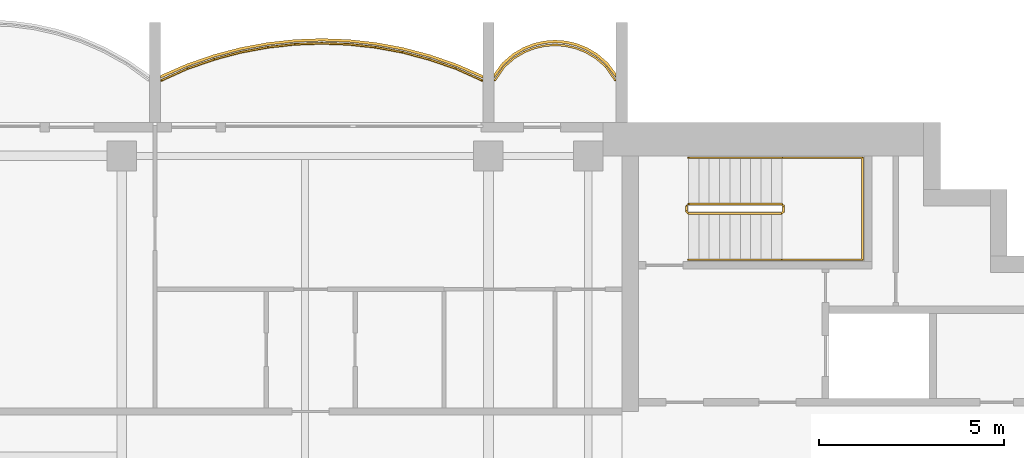
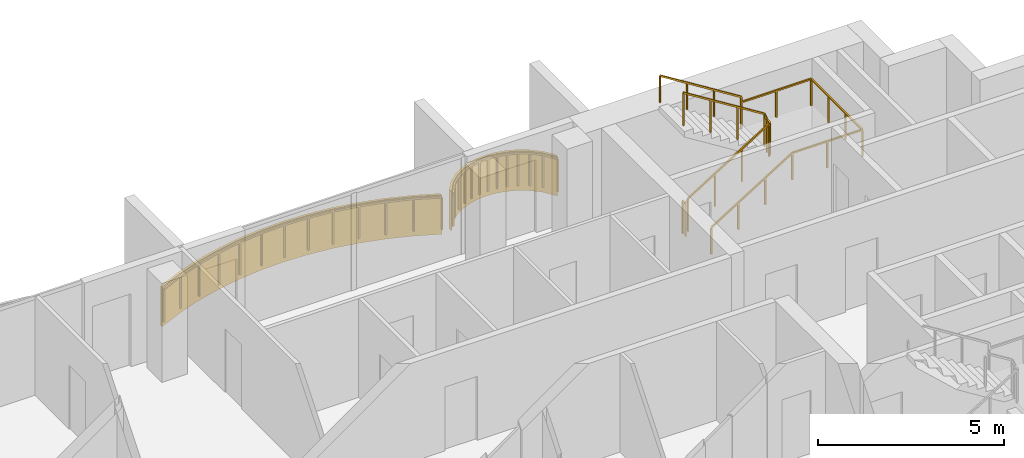
# One storey, part 16 of 16: 4 railings, 2 coverings.
"""IFC4 building model written with IfcOpenShell, lengths in metres."""

from ifc_helpers import new_model, si_unit, direction, frame, origin, origin_2d, place, context, subcontext, project, spatial, polyline, rectangle, outline, extrude, material, layer, layer_set, type_object, element, save


model = new_model("IFC4")

# Units and contexts
model_context = context("Model", 3, precision=1e-05, world=origin(), true_north=direction((0.0, 1.0)))
body_context = subcontext(model_context, "Body", "Model", "MODEL_VIEW")
ifc_project = project(units=[si_unit("LENGTHUNIT", "METRE"), si_unit("AREAUNIT", "SQUARE_METRE"), si_unit("VOLUMEUNIT", "CUBIC_METRE"), si_unit("PLANEANGLEUNIT", "RADIAN"), si_unit("MASSUNIT", "GRAM", prefix="KILO")], contexts=[model_context])

# Site, building, storey
site_placement = place(None, origin())
site = spatial("IfcSite", under=ifc_project, at=site_placement, CompositionType="ELEMENT")
building_placement = place(site_placement, origin())
building = spatial("IfcBuilding", under=site, at=building_placement, Name="Perihelion Cross Residences", CompositionType="ELEMENT")
storey_placement = place(building_placement, frame((0.0, 0.0, 243.0)))
storey = spatial("IfcBuildingStorey", under=building, at=storey_placement, Name="L61", CompositionType="ELEMENT", Elevation=243.0)

# Coverings
ifc_material_1 = material(Name="Bronze anodised aluminium", Category="aluminium")
ifc_layer = layer(ifc_material_1, 0.070068359375)
ifc_layer_set = layer_set([ifc_layer], Name="Balcony fascia 1300")
covering_type = type_object("IfcCoveringType", Name="Balcony fascia 1300", PredefinedType="CLADDING", material=ifc_layer_set)
covering_1_placement = place(storey_placement, frame((0.0, 0.0, -0.199951171875)))
element("IfcCovering", 1, at=covering_1_placement, inside=storey, type_object=covering_type, Name="Fascia BF1 L61 east side north bay 1", PredefinedType="CLADDING", context=body_context, shape_type="SweptSolid", body=[
    extrude(outline(polyline([(21.226318359375, 10.616455078125), (20.94091796875, 10.86328125), (20.655517578125, 11.031494140625), (20.370361328125, 11.142578125), (20.085205078125, 11.206298828125), (19.800048828125, 11.22705078125), (19.514892578125, 11.206298828125), (19.229736328125, 11.142578125), (18.9443359375, 11.031494140625), (18.6591796875, 10.86328125), (18.373779296875, 10.616455078125), (18.14990234375, 10.31689453125), (18.14990234375, 10.199951171875), (18.425048828125, 10.568603515625), (18.699951171875, 10.806396484375), (18.97509765625, 10.96875), (19.25, 11.07568359375), (19.52490234375, 11.136962890625), (19.800048828125, 11.156982421875), (20.074951171875, 11.136962890625), (20.35009765625, 11.07568359375), (20.625, 10.96875), (20.89990234375, 10.806396484375), (21.175048828125, 10.568603515625), (21.449951171875, 10.199951171875), (21.449951171875, 10.31689453125), (21.226318359375, 10.616455078125)])), origin(), (0.0, 0.0, 1.0), 1.300048828125),
])
covering_2_placement = place(storey_placement, frame((0.0, 0.0, -0.199951171875)))
element("IfcCovering", 2, at=covering_2_placement, inside=storey, type_object=covering_type, Name="Fascia BF1 L61 east side north bay 2", PredefinedType="CLADDING", context=body_context, shape_type="SweptSolid", body=[
    extrude(outline(polyline([(17.150634765625, 10.582275390625), (16.42041015625, 10.83544921875), (15.690185546875, 11.028076171875), (14.960205078125, 11.1630859375), (14.22998046875, 11.243408203125), (13.5, 11.27001953125), (12.77001953125, 11.243408203125), (12.039794921875, 11.1630859375), (11.309814453125, 11.028076171875), (10.57958984375, 10.83544921875), (9.849365234375, 10.582275390625), (9.14990234375, 10.2763671875), (9.14990234375, 10.199951171875), (9.875, 10.51708984375), (10.60009765625, 10.7685546875), (11.324951171875, 10.959716796875), (12.050048828125, 11.093994140625), (12.77490234375, 11.173583984375), (13.5, 11.199951171875), (14.22509765625, 11.173583984375), (14.949951171875, 11.093994140625), (15.675048828125, 10.959716796875), (16.39990234375, 10.7685546875), (17.125, 10.51708984375), (17.85009765625, 10.199951171875), (17.85009765625, 10.2763671875), (17.150634765625, 10.582275390625)])), origin(), (0.0, 0.0, 1.0), 1.300048828125),
])

# Railings
ifc_material_2 = material(Name="Bronze anodised aluminium", Category="aluminium")
railing_type_1 = type_object("IfcRailingType", Name="Balcony guard 1100", PredefinedType="GUARDRAIL", material=ifc_material_2)
railing_1_placement = place(storey_placement, frame((21.425048828125, 10.139892578125, 0.0)))
element("IfcRailing", 3, at=railing_1_placement, inside=storey, type_object=railing_type_1, Name="Guard GU1 L61 east side north bay 1 balcony", PredefinedType="GUARDRAIL", context=body_context, shape_type="SweptSolid", body=[
    extrude(rectangle(XDim=0.048095703125, YDim=0.048095703125, at=origin_2d()), frame((0.0, 0.0, 1.076171875), z_axis=(-0.561260132269, 0.827639452857, 0.0), x_axis=(-0.827639452857, -0.561260132269, 0.0)), (0.0, 0.0, 1.0), 0.4453125),
    extrude(rectangle(XDim=0.048095703125, YDim=0.048095703125, at=origin_2d()), frame((-0.25, 0.36865234375, 1.076171875), z_axis=(-0.756596535164, 0.653882009982, 0.0), x_axis=(-0.653882009982, -0.756596535164, 0.0)), (0.0, 0.0, 1.0), 0.36376953125),
    extrude(rectangle(XDim=0.048095703125, YDim=0.048095703125, at=origin_2d()), frame((-0.525146484375, 0.6064453125, 1.076171875), z_axis=(-0.861048292884, 0.508523192511, 0.0), x_axis=(-0.508523192511, -0.861048292884, 0.0)), (0.0, 0.0, 1.0), 0.3193359375),
    extrude(rectangle(XDim=0.048095703125, YDim=0.048095703125, at=origin_2d()), frame((-0.800048828125, 0.768798828125, 1.076171875), z_axis=(-0.931973602183, 0.362526143656, 0.0), x_axis=(-0.362526143656, -0.931973602183, 0.0)), (0.0, 0.0, 1.0), 0.294921875),
    extrude(rectangle(XDim=0.048095703125, YDim=0.048095703125, at=origin_2d()), frame((-1.074951171875, 0.875732421875, 1.076171875), z_axis=(-0.976085059389, 0.21738895289, 0.0), x_axis=(-0.21738895289, -0.976085059389, 0.0)), (0.0, 0.0, 1.0), 0.281982421875),
    extrude(rectangle(XDim=0.048095703125, YDim=0.048095703125, at=origin_2d()), frame((-1.35009765625, 0.93701171875, 1.076171875), z_axis=(-0.997358821833, 0.072631814734, 0.0), x_axis=(-0.072631814734, -0.997358821833, 0.0)), (0.0, 0.0, 1.0), 0.275634765625),
    extrude(rectangle(XDim=0.048095703125, YDim=0.048095703125, at=origin_2d()), frame((-1.625, 0.95703125, 1.076171875), z_axis=(-0.997363488337, -0.072567707226, 0.0), x_axis=(0.072567707226, -0.997363488337, 0.0)), (0.0, 0.0, 1.0), 0.27587890625),
    extrude(rectangle(XDim=0.048095703125, YDim=0.048095703125, at=origin_2d()), frame((-1.900146484375, 0.93701171875, 1.076171875), z_axis=(-0.976044077717, -0.217572880557, 0.0), x_axis=(0.217572880557, -0.976044077717, 0.0)), (0.0, 0.0, 1.0), 0.28173828125),
    extrude(rectangle(XDim=0.048095703125, YDim=0.048095703125, at=origin_2d()), frame((-2.175048828125, 0.875732421875, 1.076171875), z_axis=(-0.931973602183, -0.362526143656, 0.0), x_axis=(0.362526143656, -0.931973602183, 0.0)), (0.0, 0.0, 1.0), 0.294921875),
    extrude(rectangle(XDim=0.048095703125, YDim=0.048095703125, at=origin_2d()), frame((-2.449951171875, 0.768798828125, 1.076171875), z_axis=(-0.861245845072, -0.508188542123, 0.0), x_axis=(0.508188542123, -0.861245845072, 0.0)), (0.0, 0.0, 1.0), 0.319580078125),
    extrude(rectangle(XDim=0.048095703125, YDim=0.048095703125, at=origin_2d()), frame((-2.72509765625, 0.6064453125, 1.076171875), z_axis=(-0.756309278473, -0.654214242658, 0.0), x_axis=(0.654214242658, -0.756309278473, 0.0)), (0.0, 0.0, 1.0), 0.363525390625),
    extrude(rectangle(XDim=0.048095703125, YDim=0.048095703125, at=origin_2d()), frame((-3.0, 0.36865234375, 1.076171875), z_axis=(-0.561260132269, -0.827639452857, 0.0), x_axis=(0.827639452857, -0.561260132269, 0.0)), (0.0, 0.0, 1.0), 0.4453125),
    extrude(rectangle(XDim=0.0419921875, YDim=0.0419921875, at=origin_2d()), origin(), (0.0, 0.0, 1.0), 1.052001953125),
    extrude(rectangle(XDim=0.0419921875, YDim=0.0419921875, at=origin_2d()), frame((-0.25, 0.36865234375, 0.0)), (0.0, 0.0, 1.0), 1.052001953125),
    extrude(rectangle(XDim=0.0419921875, YDim=0.0419921875, at=origin_2d()), frame((-0.525146484375, 0.6064453125, 0.0)), (0.0, 0.0, 1.0), 1.052001953125),
    extrude(rectangle(XDim=0.0419921875, YDim=0.0419921875, at=origin_2d()), frame((-0.800048828125, 0.768798828125, 0.0)), (0.0, 0.0, 1.0), 1.052001953125),
    extrude(rectangle(XDim=0.0419921875, YDim=0.0419921875, at=origin_2d()), frame((-1.074951171875, 0.875732421875, 0.0)), (0.0, 0.0, 1.0), 1.052001953125),
    extrude(rectangle(XDim=0.0419921875, YDim=0.0419921875, at=origin_2d()), frame((-1.35009765625, 0.93701171875, 0.0)), (0.0, 0.0, 1.0), 1.052001953125),
    extrude(rectangle(XDim=0.0419921875, YDim=0.0419921875, at=origin_2d()), frame((-1.625, 0.95703125, 0.0)), (0.0, 0.0, 1.0), 1.052001953125),
    extrude(rectangle(XDim=0.0419921875, YDim=0.0419921875, at=origin_2d()), frame((-1.900146484375, 0.93701171875, 0.0)), (0.0, 0.0, 1.0), 1.052001953125),
    extrude(rectangle(XDim=0.0419921875, YDim=0.0419921875, at=origin_2d()), frame((-2.175048828125, 0.875732421875, 0.0)), (0.0, 0.0, 1.0), 1.052001953125),
    extrude(rectangle(XDim=0.0419921875, YDim=0.0419921875, at=origin_2d()), frame((-2.449951171875, 0.768798828125, 0.0)), (0.0, 0.0, 1.0), 1.052001953125),
    extrude(rectangle(XDim=0.0419921875, YDim=0.0419921875, at=origin_2d()), frame((-2.72509765625, 0.6064453125, 0.0)), (0.0, 0.0, 1.0), 1.052001953125),
    extrude(rectangle(XDim=0.0419921875, YDim=0.0419921875, at=origin_2d()), frame((-3.0, 0.36865234375, 0.0)), (0.0, 0.0, 1.0), 1.052001953125),
    extrude(rectangle(XDim=0.0419921875, YDim=0.0419921875, at=origin_2d()), frame((-3.25, 0.0, 0.0)), (0.0, 0.0, 1.0), 1.052001953125),
])
railing_2_placement = place(storey_placement, frame((17.824951171875, 10.139892578125, 0.0)))
element("IfcRailing", 4, at=railing_2_placement, inside=storey, type_object=railing_type_1, Name="Guard GU1 L61 east side north bay 2 balcony", PredefinedType="GUARDRAIL", context=body_context, shape_type="SweptSolid", body=[
    extrude(rectangle(XDim=0.048095703125, YDim=0.048095703125, at=origin_2d()), frame((0.0, 0.0, 1.076171875), z_axis=(-0.910866309087, 0.412701547089, 0.0), x_axis=(-0.412701547089, -0.910866309087, 0.0)), (0.0, 0.0, 1.0), 0.7685546875),
    extrude(rectangle(XDim=0.048095703125, YDim=0.048095703125, at=origin_2d()), frame((-0.699951171875, 0.317138671875, 1.076171875), z_axis=(-0.944796812452, 0.327656807012, 0.0), x_axis=(-0.327656807012, -0.944796812452, 0.0)), (0.0, 0.0, 1.0), 0.767578125),
    extrude(rectangle(XDim=0.048095703125, YDim=0.048095703125, at=origin_2d()), frame((-1.425048828125, 0.568603515625, 1.076171875), z_axis=(-0.966939404945, 0.255006249266, 0.0), x_axis=(-0.255006249266, -0.966939404945, 0.0)), (0.0, 0.0, 1.0), 0.749755859375),
    extrude(rectangle(XDim=0.048095703125, YDim=0.048095703125, at=origin_2d()), frame((-2.14990234375, 0.759765625, 1.076171875), z_axis=(-0.983282004984, 0.182089260182, 0.0), x_axis=(-0.182089260182, -0.983282004984, 0.0)), (0.0, 0.0, 1.0), 0.7373046875),
    extrude(rectangle(XDim=0.048095703125, YDim=0.048095703125, at=origin_2d()), frame((-2.875, 0.89404296875, 1.076171875), z_axis=(-0.994025805622, 0.109145305703, 0.0), x_axis=(-0.109145305703, -0.994025805622, 0.0)), (0.0, 0.0, 1.0), 0.729248046875),
    extrude(rectangle(XDim=0.048095703125, YDim=0.048095703125, at=origin_2d()), frame((-3.599853515625, 0.9736328125, 1.076171875), z_axis=(-0.999339497946, 0.036339618107, 0.0), x_axis=(-0.036339618107, -0.999339497946, 0.0)), (0.0, 0.0, 1.0), 0.7255859375),
    extrude(rectangle(XDim=0.048095703125, YDim=0.048095703125, at=origin_2d()), frame((-4.324951171875, 1.0, 1.076171875), z_axis=(-0.999339497946, -0.036339618107, 0.0), x_axis=(0.036339618107, -0.999339497946, 0.0)), (0.0, 0.0, 1.0), 0.7255859375),
    extrude(rectangle(XDim=0.048095703125, YDim=0.048095703125, at=origin_2d()), frame((-5.050048828125, 0.9736328125, 1.076171875), z_axis=(-0.994025805622, -0.109145305703, 0.0), x_axis=(0.109145305703, -0.994025805622, 0.0)), (0.0, 0.0, 1.0), 0.729248046875),
    extrude(rectangle(XDim=0.048095703125, YDim=0.048095703125, at=origin_2d()), frame((-5.77490234375, 0.89404296875, 1.076171875), z_axis=(-0.983282004984, -0.182089260182, 0.0), x_axis=(0.182089260182, -0.983282004984, 0.0)), (0.0, 0.0, 1.0), 0.7373046875),
    extrude(rectangle(XDim=0.048095703125, YDim=0.048095703125, at=origin_2d()), frame((-6.5, 0.759765625, 1.076171875), z_axis=(-0.966939404945, -0.255006249266, 0.0), x_axis=(0.255006249266, -0.966939404945, 0.0)), (0.0, 0.0, 1.0), 0.749755859375),
    extrude(rectangle(XDim=0.048095703125, YDim=0.048095703125, at=origin_2d()), frame((-7.224853515625, 0.568603515625, 1.076171875), z_axis=(-0.944796812452, -0.327656807012, 0.0), x_axis=(0.327656807012, -0.944796812452, 0.0)), (0.0, 0.0, 1.0), 0.767578125),
    extrude(rectangle(XDim=0.048095703125, YDim=0.048095703125, at=origin_2d()), frame((-7.949951171875, 0.317138671875, 1.076171875), z_axis=(-0.910866309087, -0.412701547089, 0.0), x_axis=(0.412701547089, -0.910866309087, 0.0)), (0.0, 0.0, 1.0), 0.7685546875),
    extrude(rectangle(XDim=0.0419921875, YDim=0.0419921875, at=origin_2d()), origin(), (0.0, 0.0, 1.0), 1.052001953125),
    extrude(rectangle(XDim=0.0419921875, YDim=0.0419921875, at=origin_2d()), frame((-0.699951171875, 0.317138671875, 0.0)), (0.0, 0.0, 1.0), 1.052001953125),
    extrude(rectangle(XDim=0.0419921875, YDim=0.0419921875, at=origin_2d()), frame((-1.425048828125, 0.568603515625, 0.0)), (0.0, 0.0, 1.0), 1.052001953125),
    extrude(rectangle(XDim=0.0419921875, YDim=0.0419921875, at=origin_2d()), frame((-2.14990234375, 0.759765625, 0.0)), (0.0, 0.0, 1.0), 1.052001953125),
    extrude(rectangle(XDim=0.0419921875, YDim=0.0419921875, at=origin_2d()), frame((-2.875, 0.89404296875, 0.0)), (0.0, 0.0, 1.0), 1.052001953125),
    extrude(rectangle(XDim=0.0419921875, YDim=0.0419921875, at=origin_2d()), frame((-3.599853515625, 0.9736328125, 0.0)), (0.0, 0.0, 1.0), 1.052001953125),
    extrude(rectangle(XDim=0.0419921875, YDim=0.0419921875, at=origin_2d()), frame((-4.324951171875, 1.0, 0.0)), (0.0, 0.0, 1.0), 1.052001953125),
    extrude(rectangle(XDim=0.0419921875, YDim=0.0419921875, at=origin_2d()), frame((-5.050048828125, 0.9736328125, 0.0)), (0.0, 0.0, 1.0), 1.052001953125),
    extrude(rectangle(XDim=0.0419921875, YDim=0.0419921875, at=origin_2d()), frame((-5.77490234375, 0.89404296875, 0.0)), (0.0, 0.0, 1.0), 1.052001953125),
    extrude(rectangle(XDim=0.0419921875, YDim=0.0419921875, at=origin_2d()), frame((-6.5, 0.759765625, 0.0)), (0.0, 0.0, 1.0), 1.052001953125),
    extrude(rectangle(XDim=0.0419921875, YDim=0.0419921875, at=origin_2d()), frame((-7.224853515625, 0.568603515625, 0.0)), (0.0, 0.0, 1.0), 1.052001953125),
    extrude(rectangle(XDim=0.0419921875, YDim=0.0419921875, at=origin_2d()), frame((-7.949951171875, 0.317138671875, 0.0)), (0.0, 0.0, 1.0), 1.052001953125),
    extrude(rectangle(XDim=0.0419921875, YDim=0.0419921875, at=origin_2d()), frame((-8.64990234375, 0.0, 0.0)), (0.0, 0.0, 1.0), 1.052001953125),
])
ifc_material_3 = material(Name="Stainless steel", Category="steel")
railing_type_2 = type_object("IfcRailingType", Name="Stair guard 1100", PredefinedType="GUARDRAIL", material=ifc_material_3)
railing_3_placement = place(storey_placement, frame((23.35009765625, 6.75, 0.0)))
element("IfcRailing", 5, at=railing_3_placement, inside=storey, type_object=railing_type_2, Name="L61 ST-E1 stair guard 1", PredefinedType="GUARDRAIL", context=body_context, shape_type="SweptSolid", body=[
    extrude(rectangle(XDim=0.048095703125, YDim=0.048095703125, at=origin_2d()), frame((0.0, 0.0, 1.076171875), z_axis=(0.0, -1.0, 0.0), x_axis=(1.0, 0.0, 0.0)), (0.0, 0.0, 1.0), 0.14990234375),
    extrude(rectangle(XDim=0.048095703125, YDim=0.048095703125, at=origin_2d()), frame((0.0, -0.14990234375, 1.076171875), z_axis=(0.263862480399, -0.265155923931, 0.927399011991), x_axis=(0.708833529934, 0.705375805398, 0.0)), (0.0, 0.0, 1.0), 0.188720703125),
    extrude(rectangle(XDim=0.048095703125, YDim=0.048095703125, at=origin_2d()), frame((0.0498046875, -0.199951171875, 1.2509765625), z_axis=(0.848007534815, 0.0, 0.529984170421), x_axis=(0.0, 1.0, 0.0)), (0.0, 0.0, 1.0), 2.9716796875),
    extrude(rectangle(XDim=0.048095703125, YDim=0.048095703125, at=origin_2d()), frame((2.56982421875, -0.199951171875, 2.826171875), z_axis=(0.707106781187, 0.707106781187, 0.0), x_axis=(-0.707106781187, 0.707106781187, 0.0)), (0.0, 0.0, 1.0), 0.07080078125),
    extrude(rectangle(XDim=0.048095703125, YDim=0.048095703125, at=origin_2d()), frame((2.619873046875, -0.14990234375, 2.826171875), z_axis=(0.0, 1.0, 0.0), x_axis=(-1.0, 0.0, 0.0)), (0.0, 0.0, 1.0), 0.14990234375),
    extrude(rectangle(XDim=0.048095703125, YDim=0.048095703125, at=origin_2d()), frame((2.619873046875, 0.0, 2.826171875), z_axis=(-0.265065253269, 0.265065253269, 0.927081885822), x_axis=(-0.707106781187, -0.707106781187, 0.0)), (0.0, 0.0, 1.0), 0.188720703125),
    extrude(rectangle(XDim=0.048095703125, YDim=0.048095703125, at=origin_2d()), frame((2.56982421875, 0.050048828125, 3.0009765625), z_axis=(-0.848007534815, 0.0, 0.529984170421), x_axis=(0.0, -1.0, 0.0)), (0.0, 0.0, 1.0), 2.9716796875),
    extrude(rectangle(XDim=0.0419921875, YDim=0.0419921875, at=origin_2d()), origin(), (0.0, 0.0, 1.0), 1.052001953125),
    extrude(rectangle(XDim=0.0419921875, YDim=0.0419921875, at=origin_2d()), frame((0.0, -0.14990234375, 0.0)), (0.0, 0.0, 1.0), 1.052001953125),
    extrude(rectangle(XDim=0.0419921875, YDim=0.0419921875, at=origin_2d()), frame((0.0498046875, -0.199951171875, 0.175048828125)), (0.0, 0.0, 1.0), 1.052001953125),
    extrude(rectangle(XDim=0.0419921875, YDim=0.0419921875, at=origin_2d()), frame((0.889892578125, -0.199951171875, 0.699951171875)), (0.0, 0.0, 1.0), 1.052001953125),
    extrude(rectangle(XDim=0.0419921875, YDim=0.0419921875, at=origin_2d()), frame((1.729736328125, -0.199951171875, 1.22509765625)), (0.0, 0.0, 1.0), 1.052001953125),
    extrude(rectangle(XDim=0.0419921875, YDim=0.0419921875, at=origin_2d()), frame((2.56982421875, -0.199951171875, 1.75)), (0.0, 0.0, 1.0), 1.052001953125),
    extrude(rectangle(XDim=0.0419921875, YDim=0.0419921875, at=origin_2d()), frame((2.619873046875, -0.14990234375, 1.75)), (0.0, 0.0, 1.0), 1.052001953125),
    extrude(rectangle(XDim=0.0419921875, YDim=0.0419921875, at=origin_2d()), frame((2.619873046875, 0.0, 1.75)), (0.0, 0.0, 1.0), 1.052001953125),
    extrude(rectangle(XDim=0.0419921875, YDim=0.0419921875, at=origin_2d()), frame((2.56982421875, 0.050048828125, 1.925048828125)), (0.0, 0.0, 1.0), 1.052001953125),
    extrude(rectangle(XDim=0.0419921875, YDim=0.0419921875, at=origin_2d()), frame((1.729736328125, 0.050048828125, 2.449951171875)), (0.0, 0.0, 1.0), 1.052001953125),
    extrude(rectangle(XDim=0.0419921875, YDim=0.0419921875, at=origin_2d()), frame((0.889892578125, 0.050048828125, 2.97509765625)), (0.0, 0.0, 1.0), 1.052001953125),
    extrude(rectangle(XDim=0.0419921875, YDim=0.0419921875, at=origin_2d()), frame((0.0498046875, 0.050048828125, 3.5)), (0.0, 0.0, 1.0), 1.052001953125),
])
ifc_material_4 = material(Name="Stainless steel", Category="steel")
railing_type_3 = type_object("IfcRailingType", Name="Stair handrail 900", PredefinedType="HANDRAIL", material=ifc_material_4)
railing_4_placement = place(storey_placement, frame((23.39990234375, 5.300048828125, 0.175048828125)))
element("IfcRailing", 6, at=railing_4_placement, inside=storey, type_object=railing_type_3, Name="L61 ST-E1 stair handrail 1", PredefinedType="HANDRAIL", context=body_context, shape_type="SweptSolid", body=[
    extrude(rectangle(XDim=0.048095703125, YDim=0.048095703125, at=origin_2d()), frame((0.0, 0.0, 0.8759765625), z_axis=(0.848007534815, 0.0, 0.529984170421), x_axis=(0.0, 1.0, 0.0)), (0.0, 0.0, 1.0), 2.9716796875),
    extrude(rectangle(XDim=0.048095703125, YDim=0.048095703125, at=origin_2d()), frame((2.52001953125, 0.0, 2.45068359375), z_axis=(1.0, 0.0, 0.0), x_axis=(0.0, 1.0, 0.0)), (0.0, 0.0, 1.0), 2.18017578125),
    extrude(rectangle(XDim=0.048095703125, YDim=0.048095703125, at=origin_2d()), frame((4.7001953125, 0.0, 2.45068359375), z_axis=(0.0, 1.0, 0.0), x_axis=(-1.0, 0.0, 0.0)), (0.0, 0.0, 1.0), 2.75),
    extrude(rectangle(XDim=0.048095703125, YDim=0.048095703125, at=origin_2d()), frame((4.7001953125, 2.75, 2.45068359375), z_axis=(-1.0, 0.0, 0.0), x_axis=(0.0, -1.0, 0.0)), (0.0, 0.0, 1.0), 2.18017578125),
    extrude(rectangle(XDim=0.048095703125, YDim=0.048095703125, at=origin_2d()), frame((2.52001953125, 2.75, 2.45068359375), z_axis=(0.0, 0.0, 1.0), x_axis=(1.0, 0.0, 0.0)), (0.0, 0.0, 1.0), 0.175048828125),
    extrude(rectangle(XDim=0.048095703125, YDim=0.048095703125, at=origin_2d()), frame((2.52001953125, 2.75, 2.6259765625), z_axis=(-0.848007534815, 0.0, 0.529984170421), x_axis=(0.0, -1.0, 0.0)), (0.0, 0.0, 1.0), 2.9716796875),
    extrude(rectangle(XDim=0.0419921875, YDim=0.0419921875, at=origin_2d()), origin(), (0.0, 0.0, 1.0), 0.851806640625),
    extrude(rectangle(XDim=0.0419921875, YDim=0.0419921875, at=origin_2d()), frame((0.840087890625, 0.0, 0.52490234375)), (0.0, 0.0, 1.0), 0.851806640625),
    extrude(rectangle(XDim=0.0419921875, YDim=0.0419921875, at=origin_2d()), frame((1.679931640625, 0.0, 1.050048828125)), (0.0, 0.0, 1.0), 0.851806640625),
    extrude(rectangle(XDim=0.0419921875, YDim=0.0419921875, at=origin_2d()), frame((2.52001953125, 0.0, 1.574951171875)), (0.0, 0.0, 1.0), 0.851806640625),
    extrude(rectangle(XDim=0.0419921875, YDim=0.0419921875, at=origin_2d()), frame((3.610107421875, 0.0, 1.574951171875)), (0.0, 0.0, 1.0), 0.851806640625),
    extrude(rectangle(XDim=0.0419921875, YDim=0.0419921875, at=origin_2d()), frame((4.7001953125, 0.0, 1.574951171875)), (0.0, 0.0, 1.0), 0.851806640625),
    extrude(rectangle(XDim=0.0419921875, YDim=0.0419921875, at=origin_2d()), frame((4.7001953125, 0.916748046875, 1.574951171875)), (0.0, 0.0, 1.0), 0.851806640625),
    extrude(rectangle(XDim=0.0419921875, YDim=0.0419921875, at=origin_2d()), frame((4.7001953125, 1.833251953125, 1.574951171875)), (0.0, 0.0, 1.0), 0.851806640625),
    extrude(rectangle(XDim=0.0419921875, YDim=0.0419921875, at=origin_2d()), frame((4.7001953125, 2.75, 1.574951171875)), (0.0, 0.0, 1.0), 0.851806640625),
    extrude(rectangle(XDim=0.0419921875, YDim=0.0419921875, at=origin_2d()), frame((3.610107421875, 2.75, 1.574951171875)), (0.0, 0.0, 1.0), 0.851806640625),
    extrude(rectangle(XDim=0.0419921875, YDim=0.0419921875, at=origin_2d()), frame((2.52001953125, 2.75, 1.574951171875)), (0.0, 0.0, 1.0), 0.851806640625),
    extrude(rectangle(XDim=0.0419921875, YDim=0.0419921875, at=origin_2d()), frame((2.52001953125, 2.75, 1.75)), (0.0, 0.0, 1.0), 0.851806640625),
    extrude(rectangle(XDim=0.0419921875, YDim=0.0419921875, at=origin_2d()), frame((1.679931640625, 2.75, 2.27490234375)), (0.0, 0.0, 1.0), 0.851806640625),
    extrude(rectangle(XDim=0.0419921875, YDim=0.0419921875, at=origin_2d()), frame((0.840087890625, 2.75, 2.800048828125)), (0.0, 0.0, 1.0), 0.851806640625),
    extrude(rectangle(XDim=0.0419921875, YDim=0.0419921875, at=origin_2d()), frame((0.0, 2.75, 3.324951171875)), (0.0, 0.0, 1.0), 0.851806640625),
])

save(model, "model.ifc")
